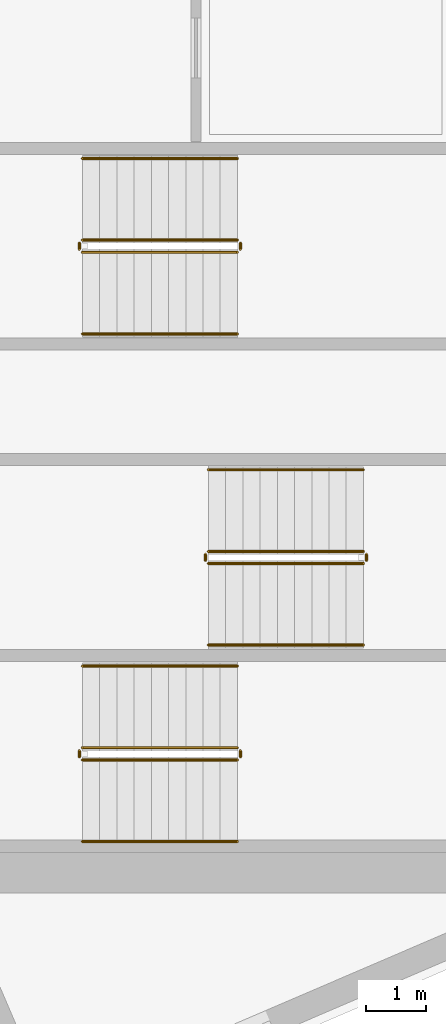
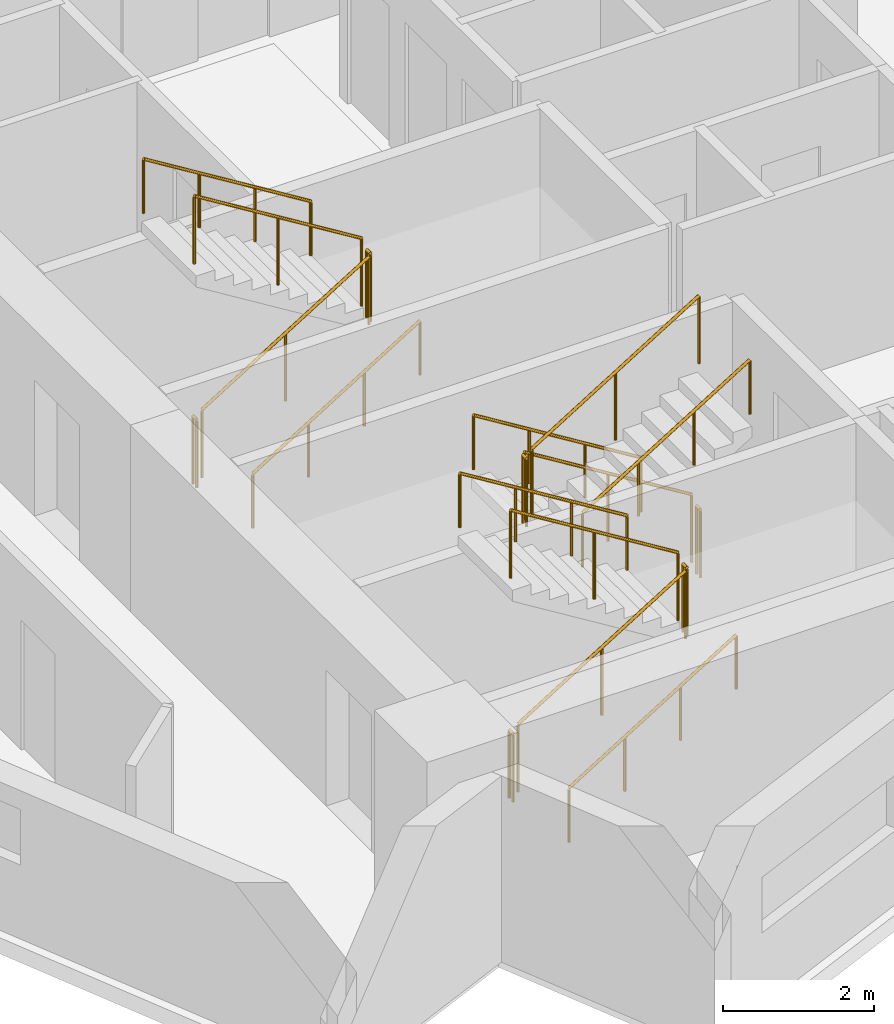
# One storey, part 13 of 14: 18 railings.
"""IFC4 building model written with IfcOpenShell, lengths in metres."""

from ifc_helpers import new_model, si_unit, direction, frame, origin, origin_2d, place, context, subcontext, project, spatial, circle, extrude, material, type_object, element, save


model = new_model("IFC4")

# Units and contexts
model_context = context("Model", 3, precision=1e-05, world=origin(), true_north=direction((0.0, 1.0)))
body_context = subcontext(model_context, "Body", "Model", "MODEL_VIEW")
ifc_project = project(units=[si_unit("LENGTHUNIT", "METRE"), si_unit("AREAUNIT", "SQUARE_METRE"), si_unit("VOLUMEUNIT", "CUBIC_METRE"), si_unit("PLANEANGLEUNIT", "RADIAN"), si_unit("MASSUNIT", "GRAM", prefix="KILO")], contexts=[model_context])

# Site, building, storey
site_placement = place(None, origin())
site = spatial("IfcSite", under=ifc_project, at=site_placement, CompositionType="ELEMENT")
building_placement = place(site_placement, origin())
building = spatial("IfcBuilding", under=site, at=building_placement, Name="Narakoshi Arena Tower", CompositionType="ELEMENT")
storey_placement = place(building_placement, frame((0.0, 0.0, 193.179931640625)))
storey = spatial("IfcBuildingStorey", under=building, at=storey_placement, Name="L52", CompositionType="ELEMENT", Elevation=193.179931640625)

# Railings
ifc_material_1 = material(Name="Clear low-iron laminated structural glass", Category="glass")
railing_type_1 = type_object("IfcRailingType", Name="RL-BAL-1100", PredefinedType="BALUSTRADE", material=ifc_material_1)
railing_1_placement = place(storey_placement, frame((74.39990234375, 36.949951171875, 0.176025390625)))
element("IfcRailing", 1, at=railing_1_placement, inside=storey, type_object=railing_type_1, Name="L52 ST1 stair guard 1", PredefinedType="BALUSTRADE", context=body_context, shape_type="SweptSolid", body=[
    extrude(circle(Radius=0.02392578125, at=origin_2d()), frame((0.0, 0.0, 1.09619140625), z_axis=(0.850856559306, 0.0, 0.525398054323), x_axis=(0.0, 1.0, 0.0)), (0.0, 0.0, 1.0), 3.014892578125),
    extrude(circle(Radius=0.02099609375, at=origin_2d()), origin(), (0.0, 0.0, 1.0), 1.072021484375),
    extrude(circle(Radius=0.02099609375, at=origin_2d()), frame((1.28271484375, 0.0, 0.7919921875)), (0.0, 0.0, 1.0), 1.072021484375),
    extrude(circle(Radius=0.02099609375, at=origin_2d()), frame((2.565185546875, 0.0, 1.583984375)), (0.0, 0.0, 1.0), 1.072021484375),
])
railing_2_placement = place(storey_placement, frame((77.014892578125, 37.0, 1.760009765625)))
element("IfcRailing", 2, at=railing_2_placement, inside=storey, type_object=railing_type_1, Name="L52 ST1 stair guard 2", PredefinedType="BALUSTRADE", context=body_context, shape_type="SweptSolid", body=[
    extrude(circle(Radius=0.02392578125, at=origin_2d()), frame((0.0, 0.0, 1.09619140625), z_axis=(0.0, 1.0, 0.0), x_axis=(-1.0, 0.0, 0.0)), (0.0, 0.0, 1.0), 0.10009765625),
    extrude(circle(Radius=0.02099609375, at=origin_2d()), origin(), (0.0, 0.0, 1.0), 1.072021484375),
    extrude(circle(Radius=0.02099609375, at=origin_2d()), frame((0.0, 0.10009765625, 0.0)), (0.0, 0.0, 1.0), 1.072021484375),
])
railing_3_placement = place(storey_placement, frame((76.965087890625, 37.14990234375, 1.93603515625)))
element("IfcRailing", 3, at=railing_3_placement, inside=storey, type_object=railing_type_1, Name="L52 ST1 stair guard 3", PredefinedType="BALUSTRADE", context=body_context, shape_type="SweptSolid", body=[
    extrude(circle(Radius=0.02392578125, at=origin_2d()), frame((0.0, 0.0, 1.09619140625), z_axis=(-0.850856559306, 0.0, 0.525398054323), x_axis=(0.0, -1.0, 0.0)), (0.0, 0.0, 1.0), 3.014892578125),
    extrude(circle(Radius=0.02099609375, at=origin_2d()), origin(), (0.0, 0.0, 1.0), 1.072021484375),
    extrude(circle(Radius=0.02099609375, at=origin_2d()), frame((-1.28271484375, 0.0, 0.7919921875)), (0.0, 0.0, 1.0), 1.072021484375),
    extrude(circle(Radius=0.02099609375, at=origin_2d()), frame((-2.565185546875, 0.0, 1.583984375)), (0.0, 0.0, 1.0), 1.072021484375),
])
railing_4_placement = place(storey_placement, frame((74.35009765625, 37.0, 0.0)))
element("IfcRailing", 4, at=railing_4_placement, inside=storey, type_object=railing_type_1, Name="L52 ST1 stair guard 4", PredefinedType="BALUSTRADE", context=body_context, shape_type="SweptSolid", body=[
    extrude(circle(Radius=0.02392578125, at=origin_2d()), frame((0.0, 0.0, 1.09619140625), z_axis=(0.0, 1.0, 0.0), x_axis=(-1.0, 0.0, 0.0)), (0.0, 0.0, 1.0), 0.10009765625),
    extrude(circle(Radius=0.02099609375, at=origin_2d()), origin(), (0.0, 0.0, 1.0), 1.072021484375),
    extrude(circle(Radius=0.02099609375, at=origin_2d()), frame((0.0, 0.10009765625, 0.0)), (0.0, 0.0, 1.0), 1.072021484375),
])
railing_5_placement = place(storey_placement, frame((79.050048828125, 40.39990234375, 0.176025390625)))
element("IfcRailing", 5, at=railing_5_placement, inside=storey, type_object=railing_type_1, Name="L52 ST2 stair guard 1", PredefinedType="BALUSTRADE", context=body_context, shape_type="SweptSolid", body=[
    extrude(circle(Radius=0.02392578125, at=origin_2d()), frame((0.0, 0.0, 1.09619140625), z_axis=(-0.850834203031, 0.0, 0.525434257497), x_axis=(0.0, -1.0, 0.0)), (0.0, 0.0, 1.0), 3.0146484375),
    extrude(circle(Radius=0.02099609375, at=origin_2d()), origin(), (0.0, 0.0, 1.0), 1.072021484375),
    extrude(circle(Radius=0.02099609375, at=origin_2d()), frame((-1.282470703125, 0.0, 0.7919921875)), (0.0, 0.0, 1.0), 1.072021484375),
    extrude(circle(Radius=0.02099609375, at=origin_2d()), frame((-2.56494140625, 0.0, 1.583984375)), (0.0, 0.0, 1.0), 1.072021484375),
])
railing_6_placement = place(storey_placement, frame((76.43505859375, 40.35009765625, 1.760009765625)))
element("IfcRailing", 6, at=railing_6_placement, inside=storey, type_object=railing_type_1, Name="L52 ST2 stair guard 2", PredefinedType="BALUSTRADE", context=body_context, shape_type="SweptSolid", body=[
    extrude(circle(Radius=0.02392578125, at=origin_2d()), frame((0.0, 0.0, 1.09619140625), z_axis=(0.0, -1.0, 0.0), x_axis=(1.0, 0.0, 0.0)), (0.0, 0.0, 1.0), 0.10009765625),
    extrude(circle(Radius=0.02099609375, at=origin_2d()), origin(), (0.0, 0.0, 1.0), 1.072021484375),
    extrude(circle(Radius=0.02099609375, at=origin_2d()), frame((0.0, -0.10009765625, 0.0)), (0.0, 0.0, 1.0), 1.072021484375),
])
railing_7_placement = place(storey_placement, frame((76.485107421875, 40.199951171875, 1.93603515625)))
element("IfcRailing", 7, at=railing_7_placement, inside=storey, type_object=railing_type_1, Name="L52 ST2 stair guard 3", PredefinedType="BALUSTRADE", context=body_context, shape_type="SweptSolid", body=[
    extrude(circle(Radius=0.02392578125, at=origin_2d()), frame((0.0, 0.0, 1.09619140625), z_axis=(0.850834203031, 0.0, 0.525434257497), x_axis=(0.0, 1.0, 0.0)), (0.0, 0.0, 1.0), 3.0146484375),
    extrude(circle(Radius=0.02099609375, at=origin_2d()), origin(), (0.0, 0.0, 1.0), 1.072021484375),
    extrude(circle(Radius=0.02099609375, at=origin_2d()), frame((1.282470703125, 0.0, 0.7919921875)), (0.0, 0.0, 1.0), 1.072021484375),
    extrude(circle(Radius=0.02099609375, at=origin_2d()), frame((2.56494140625, 0.0, 1.583984375)), (0.0, 0.0, 1.0), 1.072021484375),
])
railing_8_placement = place(storey_placement, frame((79.10009765625, 40.35009765625, 0.0)))
element("IfcRailing", 8, at=railing_8_placement, inside=storey, type_object=railing_type_1, Name="L52 ST2 stair guard 4", PredefinedType="BALUSTRADE", context=body_context, shape_type="SweptSolid", body=[
    extrude(circle(Radius=0.02392578125, at=origin_2d()), frame((0.0, 0.0, 1.09619140625), z_axis=(0.0, -1.0, 0.0), x_axis=(1.0, 0.0, 0.0)), (0.0, 0.0, 1.0), 0.10009765625),
    extrude(circle(Radius=0.02099609375, at=origin_2d()), origin(), (0.0, 0.0, 1.0), 1.072021484375),
    extrude(circle(Radius=0.02099609375, at=origin_2d()), frame((0.0, -0.10009765625, 0.0)), (0.0, 0.0, 1.0), 1.072021484375),
])
railing_9_placement = place(storey_placement, frame((74.39990234375, 45.35009765625, 0.176025390625)))
element("IfcRailing", 9, at=railing_9_placement, inside=storey, type_object=railing_type_1, Name="L52 ST3 stair guard 1", PredefinedType="BALUSTRADE", context=body_context, shape_type="SweptSolid", body=[
    extrude(circle(Radius=0.02392578125, at=origin_2d()), frame((0.0, 0.0, 1.09619140625), z_axis=(0.850856559306, 0.0, 0.525398054323), x_axis=(0.0, 1.0, 0.0)), (0.0, 0.0, 1.0), 3.014892578125),
    extrude(circle(Radius=0.02099609375, at=origin_2d()), origin(), (0.0, 0.0, 1.0), 1.072021484375),
    extrude(circle(Radius=0.02099609375, at=origin_2d()), frame((1.28271484375, 0.0, 0.7919921875)), (0.0, 0.0, 1.0), 1.072021484375),
    extrude(circle(Radius=0.02099609375, at=origin_2d()), frame((2.565185546875, 0.0, 1.583984375)), (0.0, 0.0, 1.0), 1.072021484375),
])
railing_10_placement = place(storey_placement, frame((77.014892578125, 45.39990234375, 1.760009765625)))
element("IfcRailing", 10, at=railing_10_placement, inside=storey, type_object=railing_type_1, Name="L52 ST3 stair guard 2", PredefinedType="BALUSTRADE", context=body_context, shape_type="SweptSolid", body=[
    extrude(circle(Radius=0.02392578125, at=origin_2d()), frame((0.0, 0.0, 1.09619140625), z_axis=(0.0, 1.0, 0.0), x_axis=(-1.0, 0.0, 0.0)), (0.0, 0.0, 1.0), 0.10009765625),
    extrude(circle(Radius=0.02099609375, at=origin_2d()), origin(), (0.0, 0.0, 1.0), 1.072021484375),
    extrude(circle(Radius=0.02099609375, at=origin_2d()), frame((0.0, 0.10009765625, 0.0)), (0.0, 0.0, 1.0), 1.072021484375),
])
railing_11_placement = place(storey_placement, frame((76.965087890625, 45.550048828125, 1.93603515625)))
element("IfcRailing", 11, at=railing_11_placement, inside=storey, type_object=railing_type_1, Name="L52 ST3 stair guard 3", PredefinedType="BALUSTRADE", context=body_context, shape_type="SweptSolid", body=[
    extrude(circle(Radius=0.02392578125, at=origin_2d()), frame((0.0, 0.0, 1.09619140625), z_axis=(-0.850856559306, 0.0, 0.525398054323), x_axis=(0.0, -1.0, 0.0)), (0.0, 0.0, 1.0), 3.014892578125),
    extrude(circle(Radius=0.02099609375, at=origin_2d()), origin(), (0.0, 0.0, 1.0), 1.072021484375),
    extrude(circle(Radius=0.02099609375, at=origin_2d()), frame((-1.28271484375, 0.0, 0.7919921875)), (0.0, 0.0, 1.0), 1.072021484375),
    extrude(circle(Radius=0.02099609375, at=origin_2d()), frame((-2.565185546875, 0.0, 1.583984375)), (0.0, 0.0, 1.0), 1.072021484375),
])
railing_12_placement = place(storey_placement, frame((74.35009765625, 45.39990234375, 0.0)))
element("IfcRailing", 12, at=railing_12_placement, inside=storey, type_object=railing_type_1, Name="L52 ST3 stair guard 4", PredefinedType="BALUSTRADE", context=body_context, shape_type="SweptSolid", body=[
    extrude(circle(Radius=0.02392578125, at=origin_2d()), frame((0.0, 0.0, 1.09619140625), z_axis=(0.0, 1.0, 0.0), x_axis=(-1.0, 0.0, 0.0)), (0.0, 0.0, 1.0), 0.10009765625),
    extrude(circle(Radius=0.02099609375, at=origin_2d()), origin(), (0.0, 0.0, 1.0), 1.072021484375),
    extrude(circle(Radius=0.02099609375, at=origin_2d()), frame((0.0, 0.10009765625, 0.0)), (0.0, 0.0, 1.0), 1.072021484375),
])
ifc_material_2 = material(Name="Brushed bronze stainless steel", Category="steel")
railing_type_2 = type_object("IfcRailingType", Name="RL-HND-900", PredefinedType="HANDRAIL", material=ifc_material_2)
railing_13_placement = place(storey_placement, frame((74.39990234375, 35.60009765625, 0.176025390625)))
element("IfcRailing", 13, at=railing_13_placement, inside=storey, type_object=railing_type_2, Name="L52 ST1 stair handrail 1", PredefinedType="HANDRAIL", context=body_context, shape_type="SweptSolid", body=[
    extrude(circle(Radius=0.02392578125, at=origin_2d()), frame((0.0, 0.0, 0.8759765625), z_axis=(0.850856559306, 0.0, 0.525398054323), x_axis=(0.0, 1.0, 0.0)), (0.0, 0.0, 1.0), 3.014892578125),
    extrude(circle(Radius=0.02099609375, at=origin_2d()), origin(), (0.0, 0.0, 1.0), 0.851806640625),
    extrude(circle(Radius=0.02099609375, at=origin_2d()), frame((0.85498046875, 0.0, 0.528076171875)), (0.0, 0.0, 1.0), 0.851806640625),
    extrude(circle(Radius=0.02099609375, at=origin_2d()), frame((1.710205078125, 0.0, 1.055908203125)), (0.0, 0.0, 1.0), 0.851806640625),
    extrude(circle(Radius=0.02099609375, at=origin_2d()), frame((2.565185546875, 0.0, 1.583984375)), (0.0, 0.0, 1.0), 0.851806640625),
])
railing_14_placement = place(storey_placement, frame((76.965087890625, 38.5, 1.93603515625)))
element("IfcRailing", 14, at=railing_14_placement, inside=storey, type_object=railing_type_2, Name="L52 ST1 stair handrail 2", PredefinedType="HANDRAIL", context=body_context, shape_type="SweptSolid", body=[
    extrude(circle(Radius=0.02392578125, at=origin_2d()), frame((0.0, 0.0, 0.8759765625), z_axis=(-0.850856559306, 0.0, 0.525398054323), x_axis=(0.0, -1.0, 0.0)), (0.0, 0.0, 1.0), 3.014892578125),
    extrude(circle(Radius=0.02099609375, at=origin_2d()), origin(), (0.0, 0.0, 1.0), 0.851806640625),
    extrude(circle(Radius=0.02099609375, at=origin_2d()), frame((-0.85498046875, 0.0, 0.528076171875)), (0.0, 0.0, 1.0), 0.851806640625),
    extrude(circle(Radius=0.02099609375, at=origin_2d()), frame((-1.710205078125, 0.0, 1.055908203125)), (0.0, 0.0, 1.0), 0.851806640625),
    extrude(circle(Radius=0.02099609375, at=origin_2d()), frame((-2.565185546875, 0.0, 1.583984375)), (0.0, 0.0, 1.0), 0.851806640625),
])
railing_15_placement = place(storey_placement, frame((79.050048828125, 41.75, 0.176025390625)))
element("IfcRailing", 15, at=railing_15_placement, inside=storey, type_object=railing_type_2, Name="L52 ST2 stair handrail 1", PredefinedType="HANDRAIL", context=body_context, shape_type="SweptSolid", body=[
    extrude(circle(Radius=0.02392578125, at=origin_2d()), frame((0.0, 0.0, 0.8759765625), z_axis=(-0.850834203031, 0.0, 0.525434257497), x_axis=(0.0, -1.0, 0.0)), (0.0, 0.0, 1.0), 3.0146484375),
    extrude(circle(Radius=0.02099609375, at=origin_2d()), origin(), (0.0, 0.0, 1.0), 0.851806640625),
    extrude(circle(Radius=0.02099609375, at=origin_2d()), frame((-0.85498046875, 0.0, 0.528076171875)), (0.0, 0.0, 1.0), 0.851806640625),
    extrude(circle(Radius=0.02099609375, at=origin_2d()), frame((-1.7099609375, 0.0, 1.055908203125)), (0.0, 0.0, 1.0), 0.851806640625),
    extrude(circle(Radius=0.02099609375, at=origin_2d()), frame((-2.56494140625, 0.0, 1.583984375)), (0.0, 0.0, 1.0), 0.851806640625),
])
railing_16_placement = place(storey_placement, frame((76.485107421875, 38.85009765625, 1.93603515625)))
element("IfcRailing", 16, at=railing_16_placement, inside=storey, type_object=railing_type_2, Name="L52 ST2 stair handrail 2", PredefinedType="HANDRAIL", context=body_context, shape_type="SweptSolid", body=[
    extrude(circle(Radius=0.02392578125, at=origin_2d()), frame((0.0, 0.0, 0.8759765625), z_axis=(0.850834203031, 0.0, 0.525434257497), x_axis=(0.0, 1.0, 0.0)), (0.0, 0.0, 1.0), 3.0146484375),
    extrude(circle(Radius=0.02099609375, at=origin_2d()), origin(), (0.0, 0.0, 1.0), 0.851806640625),
    extrude(circle(Radius=0.02099609375, at=origin_2d()), frame((0.85498046875, 0.0, 0.528076171875)), (0.0, 0.0, 1.0), 0.851806640625),
    extrude(circle(Radius=0.02099609375, at=origin_2d()), frame((1.7099609375, 0.0, 1.055908203125)), (0.0, 0.0, 1.0), 0.851806640625),
    extrude(circle(Radius=0.02099609375, at=origin_2d()), frame((2.56494140625, 0.0, 1.583984375)), (0.0, 0.0, 1.0), 0.851806640625),
])
railing_17_placement = place(storey_placement, frame((74.39990234375, 44.0, 0.176025390625)))
element("IfcRailing", 17, at=railing_17_placement, inside=storey, type_object=railing_type_2, Name="L52 ST3 stair handrail 1", PredefinedType="HANDRAIL", context=body_context, shape_type="SweptSolid", body=[
    extrude(circle(Radius=0.02392578125, at=origin_2d()), frame((0.0, 0.0, 0.8759765625), z_axis=(0.850856559306, 0.0, 0.525398054323), x_axis=(0.0, 1.0, 0.0)), (0.0, 0.0, 1.0), 3.014892578125),
    extrude(circle(Radius=0.02099609375, at=origin_2d()), origin(), (0.0, 0.0, 1.0), 0.851806640625),
    extrude(circle(Radius=0.02099609375, at=origin_2d()), frame((0.85498046875, 0.0, 0.528076171875)), (0.0, 0.0, 1.0), 0.851806640625),
    extrude(circle(Radius=0.02099609375, at=origin_2d()), frame((1.710205078125, 0.0, 1.055908203125)), (0.0, 0.0, 1.0), 0.851806640625),
    extrude(circle(Radius=0.02099609375, at=origin_2d()), frame((2.565185546875, 0.0, 1.583984375)), (0.0, 0.0, 1.0), 0.851806640625),
])
railing_18_placement = place(storey_placement, frame((76.965087890625, 46.89990234375, 1.93603515625)))
element("IfcRailing", 18, at=railing_18_placement, inside=storey, type_object=railing_type_2, Name="L52 ST3 stair handrail 2", PredefinedType="HANDRAIL", context=body_context, shape_type="SweptSolid", body=[
    extrude(circle(Radius=0.02392578125, at=origin_2d()), frame((0.0, 0.0, 0.8759765625), z_axis=(-0.850856559306, 0.0, 0.525398054323), x_axis=(0.0, -1.0, 0.0)), (0.0, 0.0, 1.0), 3.014892578125),
    extrude(circle(Radius=0.02099609375, at=origin_2d()), origin(), (0.0, 0.0, 1.0), 0.851806640625),
    extrude(circle(Radius=0.02099609375, at=origin_2d()), frame((-0.85498046875, 0.0, 0.528076171875)), (0.0, 0.0, 1.0), 0.851806640625),
    extrude(circle(Radius=0.02099609375, at=origin_2d()), frame((-1.710205078125, 0.0, 1.055908203125)), (0.0, 0.0, 1.0), 0.851806640625),
    extrude(circle(Radius=0.02099609375, at=origin_2d()), frame((-2.565185546875, 0.0, 1.583984375)), (0.0, 0.0, 1.0), 0.851806640625),
])

save(model, "model.ifc")
